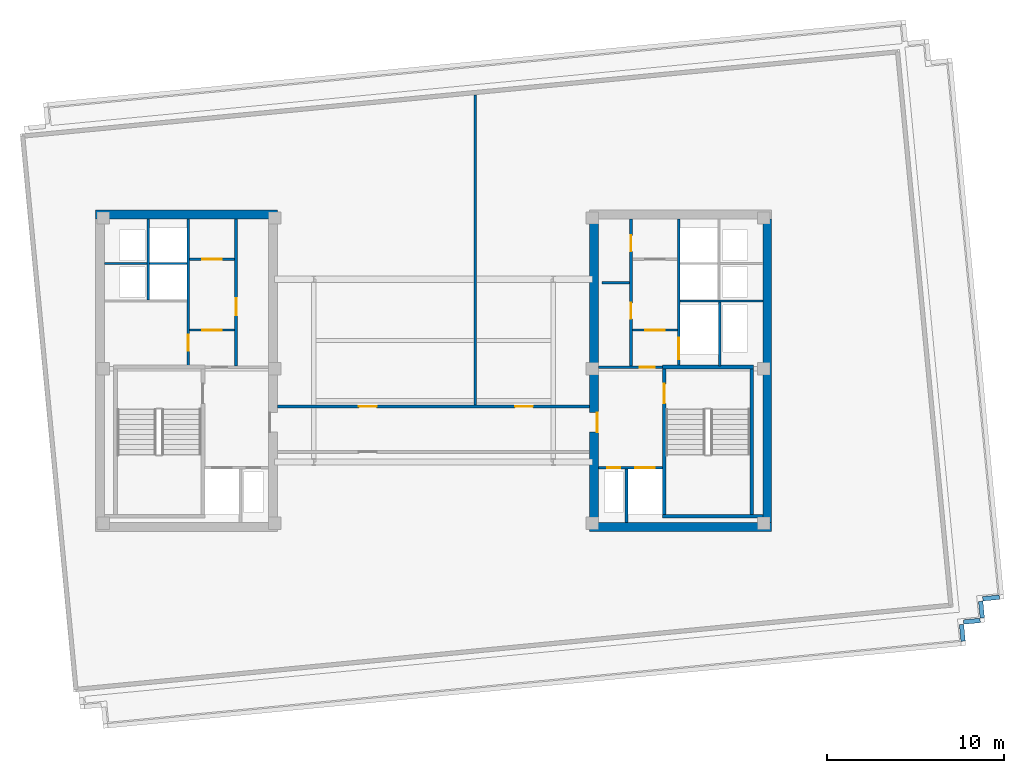
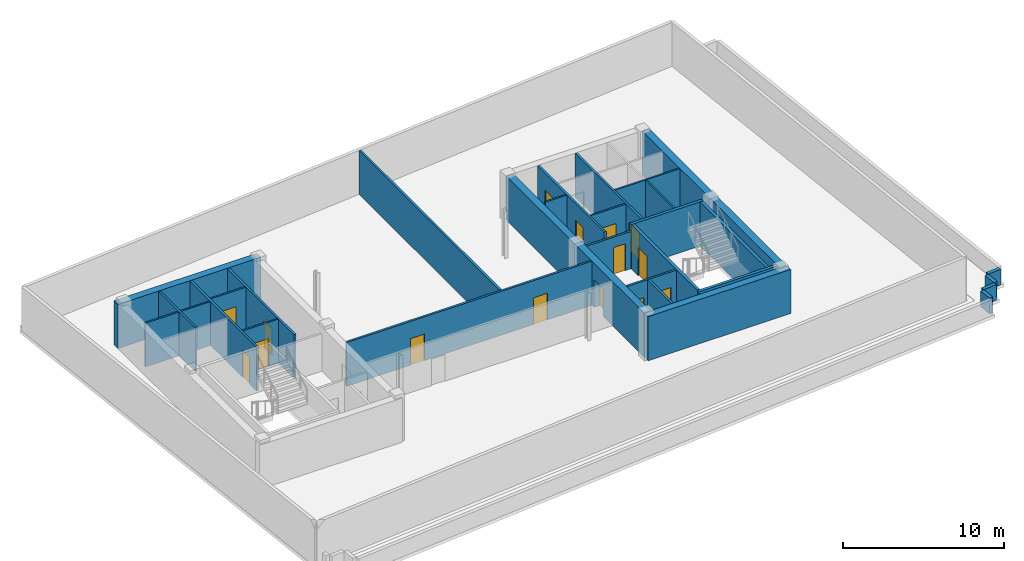
# One storey, part 3 of 8: 30 walls, 15 doors, 15 openings.
"""IFC4 building model written with IfcOpenShell, lengths in metres."""

from ifc_helpers import new_model, si_unit, direction, frame, frame_2d, origin, place, context, subcontext, project, spatial, rectangle, extrude, material, layer, layer_set, type_object, element, fill, save


model = new_model("IFC4")

# Units and contexts
model_context = context("Model", 3, precision=1e-05, world=origin(), true_north=direction((0.0, 1.0)))
body_context = subcontext(model_context, "Body", "Model", "MODEL_VIEW")
ifc_project = project(units=[si_unit("LENGTHUNIT", "METRE"), si_unit("AREAUNIT", "SQUARE_METRE"), si_unit("VOLUMEUNIT", "CUBIC_METRE"), si_unit("PLANEANGLEUNIT", "RADIAN"), si_unit("MASSUNIT", "GRAM", prefix="KILO")], contexts=[model_context])

# Site, building, storey
site_placement = place(None, origin())
site = spatial("IfcSite", under=ifc_project, at=site_placement, CompositionType="ELEMENT")
building_placement = place(site_placement, origin())
building = spatial("IfcBuilding", under=site, at=building_placement, Name="Velakula Bourse", CompositionType="ELEMENT")
storey_placement = place(building_placement, frame((0.0, 0.0, 286.949951171875)))
storey = spatial("IfcBuildingStorey", under=building, at=storey_placement, Name="L78", CompositionType="ELEMENT", Elevation=286.949951171875)

# Wall, opening, door
ifc_material_1 = material(Name="Concrete M50 (fck 50 MPa)", Category="concrete")
ifc_layer_1 = layer(ifc_material_1, 0.2099609375, Name="Concrete M50 (fck 50 MPa)", Category="concrete")
ifc_layer_set_1 = layer_set([ifc_layer_1], Name="Concrete M50 (fck 50 MPa)")
wall_type_1 = type_object("IfcWallType", Name="WL-CORE-210", PredefinedType="SHEAR", material=ifc_layer_set_1)
wall_1_placement = place(storey_placement, frame((12.9951171875, -8.10009765625, 0.0), z_axis=(0.0, 0.0, 1.0), x_axis=(0.0, 1.0, 0.0)))
wall_1 = element("IfcWall", 1, at=wall_1_placement, inside=storey, type_object=wall_type_1, Name="L78 Core E Stairwell Shear Wall IN", PredefinedType="SHEAR", context=body_context, shape_type="SweptSolid", body=[
    extrude(rectangle(XDim=8.2001953125, YDim=0.2099609375, at=frame_2d((4.10009765625, 0.0))), origin(), (0.0, 0.0, 1.0), 3.35009765625),
])
opening_1_placement = place(wall_1_placement, frame((6.25, 0.0, 0.0)))
opening_1 = element("IfcOpeningElement", 2, at=opening_1_placement, cuts=wall_1, Name="Opening D-STE1", PredefinedType="OPENING", context=body_context, shape_type="SweptSolid", body=[
    extrude(rectangle(XDim=1.10009765625, YDim=2.14990234375, at=frame_2d((0.550048828125, 1.074951171875))), frame((0.0, 0.114990234375, 0.0), z_axis=(0.0, -1.0, 0.0), x_axis=(1.0, 0.0, 0.0)), (0.0, 0.0, 1.0), 0.22998046875),
])
ifc_material_2 = material(Name="Galvanised painted hollow steel fire door", Category="steel")
door_type_1 = type_object("IfcDoorType", Name="DR-FD120-1100x2150", OperationType="NOTDEFINED", PredefinedType="DOOR", material=ifc_material_2)
door_1_placement = place(opening_1_placement, origin())
door_1 = element("IfcDoor", 3, at=door_1_placement, inside=storey, type_object=door_type_1, Name="L78 Stair ST-E1 Fire Door", OperationType="SINGLE_SWING_RIGHT", OverallHeight=2.14990234375, OverallWidth=1.10009765625, PredefinedType="DOOR", context=body_context, shape_type="SweptSolid", body=[
    extrude(rectangle(XDim=1.10009765625, YDim=2.14990234375, at=frame_2d((0.550048828125, 1.074951171875))), frame((0.0, 0.02490234375, 0.0), z_axis=(0.0, -1.0, 0.0), x_axis=(1.0, 0.0, 0.0)), (0.0, 0.0, 1.0), 0.050048828125),
])
fill(opening_1, door_1)

# Walls
wall_2_placement = place(storey_placement, frame((17.925048828125, -8.10009765625, 0.0), z_axis=(0.0, 0.0, 1.0), x_axis=(0.0, 1.0, 0.0)))
element("IfcWall", 4, at=wall_2_placement, inside=storey, type_object=wall_type_1, Name="L78 Core E Stairwell Shear Wall OUT", PredefinedType="SHEAR", context=body_context, shape_type="SweptSolid", body=[
    extrude(rectangle(XDim=8.2001953125, YDim=0.2099609375, at=frame_2d((4.10009765625, 0.0))), origin(), (0.0, 0.0, 1.0), 3.35009765625),
])
wall_3_placement = place(storey_placement, frame((12.889892578125, -8.205078125, 0.0), z_axis=(0.0, 0.0, 1.0), x_axis=(1.0, 0.0, 0.0)))
element("IfcWall", 5, at=wall_3_placement, inside=storey, type_object=wall_type_1, Name="L78 Core E Stairwell Shear Wall S", PredefinedType="SHEAR", context=body_context, shape_type="SweptSolid", body=[
    extrude(rectangle(XDim=5.66015625, YDim=0.2099609375, at=frame_2d((2.830078125, 0.0))), origin(), (0.0, 0.0, 1.0), 3.35009765625),
])
wall_4_placement = place(storey_placement, frame((18.030029296875, 0.205078125, 0.0), z_axis=(0.0, 0.0, 1.0), x_axis=(-1.0, 0.0, 0.0)))
element("IfcWall", 6, at=wall_4_placement, inside=storey, type_object=wall_type_1, Name="L78 Core E Stairwell Shear Wall N", PredefinedType="SHEAR", context=body_context, shape_type="SweptSolid", body=[
    extrude(rectangle(XDim=5.14013671875, YDim=0.2099609375, at=frame_2d((2.570068359375, 0.0))), origin(), (0.0, 0.0, 1.0), 3.35009765625),
])
ifc_layer_2 = layer(ifc_material_1, 0.5, Name="Concrete M50 (fck 50 MPa)", Category="concrete")
ifc_layer_set_2 = layer_set([ifc_layer_2], Name="Concrete M50 (fck 50 MPa)")
wall_type_2 = type_object("IfcWallType", Name="WL-CORE-500", PredefinedType="SHEAR", material=ifc_layer_set_2)
for number, where, z_axis, x_axis, name in (
    (7, (-19.050048828125, 8.800048828125, 0.0), (0.0, 0.0, 1.0), (1.0, 0.0, 0.0), "L78 Core W Shear Wall N"),
    (8, (8.800048828125, -8.800048828125, 0.0), (0.0, 0.0, 1.0), (1.0, 0.0, 0.0), "L78 Core E Shear Wall S"),
):
    element("IfcWall", number, at=place(storey_placement, frame(where, z_axis=z_axis, x_axis=x_axis)), inside=storey, type_object=wall_type_2, Name=name, PredefinedType="SHEAR", context=body_context, shape_type="SweptSolid", body=[
        extrude(rectangle(XDim=10.25, YDim=0.5, at=frame_2d((5.125, 0.0))), origin(), (0.0, 0.0, 1.0), 3.35009765625),
    ])

# Wall, opening, door
wall_5_placement = place(storey_placement, frame((9.050048828125, -8.550048828125, 0.0), z_axis=(0.0, 0.0, 1.0), x_axis=(0.0, 1.0, 0.0)))
wall_5 = element("IfcWall", 9, at=wall_5_placement, inside=storey, type_object=wall_type_2, Name="L78 Core E Shear Wall W", PredefinedType="SHEAR", context=body_context, shape_type="SweptSolid", body=[
    extrude(rectangle(XDim=17.10009765625, YDim=0.5, at=frame_2d((8.550048828125, 0.0))), origin(), (0.0, 0.0, 1.0), 3.35009765625),
])
opening_2_placement = place(wall_5_placement, frame((5.080078125, 0.0, 0.0)))
opening_2 = element("IfcOpeningElement", 10, at=opening_2_placement, cuts=wall_5, Name="Opening D-FLE", PredefinedType="OPENING", context=body_context, shape_type="SweptSolid", body=[
    extrude(rectangle(XDim=1.10009765625, YDim=2.080078125, at=frame_2d((0.550048828125, 1.0400390625))), frame((0.0, 0.260009765625, 0.0), z_axis=(0.0, -1.0, 0.0), x_axis=(1.0, 0.0, 0.0)), (0.0, 0.0, 1.0), 0.52001953125),
])
door_type_2 = type_object("IfcDoorType", Name="DR-FD120-1100", OperationType="NOTDEFINED", PredefinedType="DOOR", material=ifc_material_2)
door_2_placement = place(opening_2_placement, origin())
door_2 = element("IfcDoor", 11, at=door_2_placement, inside=storey, type_object=door_type_2, Name="L78 Firefighting Lobby E Corridor Fire Door", OperationType="SINGLE_SWING_RIGHT", OverallHeight=2.080078125, OverallWidth=1.10009765625, PredefinedType="DOOR", context=body_context, shape_type="SweptSolid", body=[
    extrude(rectangle(XDim=1.10009765625, YDim=2.080078125, at=frame_2d((0.550048828125, 1.0400390625))), frame((0.0, -0.15478515625, 0.0), z_axis=(0.0, -1.0, 0.0), x_axis=(1.0, 0.0, 0.0)), (0.0, 0.0, 1.0), 0.050048828125),
])
fill(opening_2, door_2)

# Walls
wall_6_placement = place(storey_placement, frame((18.800048828125, -8.550048828125, 0.0), z_axis=(0.0, 0.0, 1.0), x_axis=(0.0, 1.0, 0.0)))
element("IfcWall", 12, at=wall_6_placement, inside=storey, type_object=wall_type_2, Name="L78 Core E Shear Wall E", PredefinedType="SHEAR", context=body_context, shape_type="SweptSolid", body=[
    extrude(rectangle(XDim=17.10009765625, YDim=0.5, at=frame_2d((8.550048828125, 0.0))), origin(), (0.0, 0.0, 1.0), 3.35009765625),
])
ifc_material_3 = material(Name="Buff kilned clay facing brick masonry", Category="masonry")
ifc_layer_3 = layer(ifc_material_3, 0.25, Name="Buff kilned clay facing brick masonry", Category="masonry")
ifc_layer_set_3 = layer_set([ifc_layer_3], Name="Buff kilned clay facing brick masonry")
wall_type_3 = type_object("IfcWallType", Name="WL-PAR-ROOF-250", PredefinedType="PARAPET", material=ifc_layer_set_3)
for number, where, z_axis, x_axis, name in (
    (13, (31.8828125, -12.765380859375, 0.0), (0.0, 0.0, 1.0), (-0.995398079194, -0.095826217381, 0.0), "L78 Closed Roof Perimeter Parapet 9"),
    (14, (30.830078125, -12.997314453125, 0.0), (0.0, 0.0, 1.0), (0.095826217381, -0.995398079194, 0.0), "L78 Closed Roof Perimeter Parapet 10"),
):
    element("IfcWall", number, at=place(storey_placement, frame(where, z_axis=z_axis, x_axis=x_axis)), inside=storey, type_object=wall_type_3, Name=name, PredefinedType="PARAPET", context=body_context, shape_type="SweptSolid", body=[
        extrude(rectangle(XDim=0.940185546875, YDim=0.25, at=frame_2d((0.47021484375, 0.0))), origin(), (0.0, 0.0, 1.0), 1.199951171875),
    ])
wall_7_placement = place(storey_placement, frame((30.80322265625, -14.074951171875, 0.0), z_axis=(0.0, 0.0, 1.0), x_axis=(-0.995395693608, -0.095850994504, 0.0)))
element("IfcWall", 15, at=wall_7_placement, inside=storey, type_object=wall_type_3, Name="L78 Closed Roof Perimeter Parapet 11", PredefinedType="PARAPET", context=body_context, shape_type="SweptSolid", body=[
    extrude(rectangle(XDim=0.93994140625, YDim=0.25, at=frame_2d((0.469970703125, 0.0))), origin(), (0.0, 0.0, 1.0), 1.199951171875),
])
wall_8_placement = place(storey_placement, frame((29.75048828125, -14.306884765625, 0.0), z_axis=(0.0, 0.0, 1.0), x_axis=(0.096083514753, -0.995373275808, 0.0)))
element("IfcWall", 16, at=wall_8_placement, inside=storey, type_object=wall_type_3, Name="L78 Closed Roof Perimeter Parapet 12", PredefinedType="PARAPET", context=body_context, shape_type="SweptSolid", body=[
    extrude(rectangle(XDim=0.940185546875, YDim=0.25, at=frame_2d((0.47021484375, 0.0))), origin(), (0.0, 0.0, 1.0), 1.199951171875),
])

# Wall, opening, door
ifc_material_4 = material(Name="Fire-rated double-layer gypsum drywall partition", Category="gypsum")
ifc_layer_4 = layer(ifc_material_4, 0.1201171875, Name="Fire-rated double-layer gypsum drywall partition", Category="gypsum")
ifc_layer_set_4 = layer_set([ifc_layer_4], Name="Fire-rated double-layer gypsum drywall partition")
wall_type_4 = type_object("IfcWallType", Name="WL-PART-120", PredefinedType="STANDARD", material=ifc_layer_set_4)
wall_9_placement = place(storey_placement, frame((-13.75, 2.280029296875, 0.0), z_axis=(0.0, 0.0, 1.0), x_axis=(1.0, 0.0, 0.0)))
wall_9 = element("IfcWall", 17, at=wall_9_placement, inside=storey, type_object=wall_type_4, Name="L78 Interior Partition WL-CRW-L78-LL-K3A", PredefinedType="STANDARD", context=body_context, shape_type="SweptSolid", body=[
    extrude(rectangle(XDim=2.550048828125, YDim=0.1201171875, at=frame_2d((1.27490234375, 0.0))), origin(), (0.0, 0.0, 1.0), 3.330078125),
])
opening_3_placement = place(wall_9_placement, frame((0.72509765625, 0.0, 0.0)))
opening_3 = element("IfcOpeningElement", 18, at=opening_3_placement, cuts=wall_9, Name="Opening D-LK3", PredefinedType="OPENING", context=body_context, shape_type="SweptSolid", body=[
    extrude(rectangle(XDim=1.10009765625, YDim=2.10009765625, at=frame_2d((0.550048828125, 1.050048828125))), frame((0.0, 0.070068359375, 0.0), z_axis=(0.0, -1.0, 0.0), x_axis=(1.0, 0.0, 0.0)), (0.0, 0.0, 1.0), 0.14013671875),
])
ifc_material_5 = material(Name="Fire-rated hardwood flush architectural door", Category="wood")
door_type_3 = type_object("IfcDoorType", Name="DR-FD60-1100x2100", OperationType="NOTDEFINED", PredefinedType="DOOR", material=ifc_material_5)
door_3_placement = place(opening_3_placement, origin())
door_3 = element("IfcDoor", 19, at=door_3_placement, inside=storey, type_object=door_type_3, Name="L78 Core W Lift Lobby Vestibule Door A", OperationType="SINGLE_SWING_RIGHT", OverallHeight=2.10009765625, OverallWidth=1.10009765625, PredefinedType="DOOR", context=body_context, shape_type="SweptSolid", body=[
    extrude(rectangle(XDim=1.10009765625, YDim=2.10009765625, at=frame_2d((0.550048828125, 1.050048828125))), frame((0.0, 0.02490234375, 0.0), z_axis=(0.0, -1.0, 0.0), x_axis=(1.0, 0.0, 0.0)), (0.0, 0.0, 1.0), 0.050048828125),
])
fill(opening_3, door_3)

wall_10_placement = place(storey_placement, frame((-13.75, 6.280029296875, 0.0), z_axis=(0.0, 0.0, 1.0), x_axis=(1.0, 0.0, 0.0)))
wall_10 = element("IfcWall", 20, at=wall_10_placement, inside=storey, type_object=wall_type_4, Name="L78 Interior Partition WL-CRW-L78-LL-K3B", PredefinedType="STANDARD", context=body_context, shape_type="SweptSolid", body=[
    extrude(rectangle(XDim=2.550048828125, YDim=0.1201171875, at=frame_2d((1.27490234375, 0.0))), origin(), (0.0, 0.0, 1.0), 3.330078125),
])
opening_4_placement = place(wall_10_placement, frame((0.72509765625, 0.0, 0.0)))
opening_4 = element("IfcOpeningElement", 21, at=opening_4_placement, cuts=wall_10, Name="Opening D-LK3", PredefinedType="OPENING", context=body_context, shape_type="SweptSolid", body=[
    extrude(rectangle(XDim=1.10009765625, YDim=2.10009765625, at=frame_2d((0.550048828125, 1.050048828125))), frame((0.0, 0.070068359375, 0.0), z_axis=(0.0, -1.0, 0.0), x_axis=(1.0, 0.0, 0.0)), (0.0, 0.0, 1.0), 0.14013671875),
])
door_4_placement = place(opening_4_placement, origin())
door_4 = element("IfcDoor", 22, at=door_4_placement, inside=storey, type_object=door_type_3, Name="L78 Core W Lift Lobby Vestibule Door B", OperationType="SINGLE_SWING_RIGHT", OverallHeight=2.10009765625, OverallWidth=1.10009765625, PredefinedType="DOOR", context=body_context, shape_type="SweptSolid", body=[
    extrude(rectangle(XDim=1.10009765625, YDim=2.10009765625, at=frame_2d((0.550048828125, 1.050048828125))), frame((0.0, 0.02490234375, 0.0), z_axis=(0.0, -1.0, 0.0), x_axis=(1.0, 0.0, 0.0)), (0.0, 0.0, 1.0), 0.050048828125),
])
fill(opening_4, door_4)

# Walls
wall_11_placement = place(storey_placement, frame((-18.550048828125, 6.030029296875, 0.0), z_axis=(0.0, 0.0, 1.0), x_axis=(1.0, 0.0, 0.0)))
element("IfcWall", 23, at=wall_11_placement, inside=storey, type_object=wall_type_4, Name="L78 Interior Partition WL-CRW-L78-RIS-MID", PredefinedType="STANDARD", context=body_context, shape_type="SweptSolid", body=[
    extrude(rectangle(XDim=2.400146484375, YDim=0.1201171875, at=frame_2d((1.2001953125, 0.0))), origin(), (0.0, 0.0, 1.0), 3.330078125),
])
wall_12_placement = place(storey_placement, frame((-16.074951171875, 3.97998046875, 0.0), z_axis=(0.0, 0.0, 1.0), x_axis=(0.0, 1.0, 0.0)))
element("IfcWall", 24, at=wall_12_placement, inside=storey, type_object=wall_type_4, Name="L78 Interior Partition WL-CRW-L78-RIS-F", PredefinedType="STANDARD", context=body_context, shape_type="SweptSolid", body=[
    extrude(rectangle(XDim=4.570068359375, YDim=0.1201171875, at=frame_2d((2.28515625, 0.0))), origin(), (0.0, 0.0, 1.0), 3.330078125),
])
wall_13_placement = place(storey_placement, frame((-16.0, 6.030029296875, 0.0), z_axis=(0.0, 0.0, 1.0), x_axis=(1.0, 0.0, 0.0)))
element("IfcWall", 25, at=wall_13_placement, inside=storey, type_object=wall_type_4, Name="L78 Interior Partition WL-CRW-L78-HI-DIV", PredefinedType="STANDARD", context=body_context, shape_type="SweptSolid", body=[
    extrude(rectangle(XDim=2.10009765625, YDim=0.1201171875, at=frame_2d((1.050048828125, 0.0))), origin(), (0.0, 0.0, 1.0), 3.330078125),
])

# Wall, opening, door
wall_14_placement = place(storey_placement, frame((11.199951171875, 2.280029296875, 0.0), z_axis=(0.0, 0.0, 1.0), x_axis=(1.0, 0.0, 0.0)))
wall_14 = element("IfcWall", 26, at=wall_14_placement, inside=storey, type_object=wall_type_4, Name="L78 Interior Partition WL-CRE-L78-LL-K3A", PredefinedType="STANDARD", context=body_context, shape_type="SweptSolid", body=[
    extrude(rectangle(XDim=2.550048828125, YDim=0.1201171875, at=frame_2d((1.27490234375, 0.0))), origin(), (0.0, 0.0, 1.0), 3.330078125),
])
opening_5_placement = place(wall_14_placement, frame((0.72509765625, 0.0, 0.0)))
opening_5 = element("IfcOpeningElement", 27, at=opening_5_placement, cuts=wall_14, Name="Opening D-LK3", PredefinedType="OPENING", context=body_context, shape_type="SweptSolid", body=[
    extrude(rectangle(XDim=1.10009765625, YDim=2.10009765625, at=frame_2d((0.550048828125, 1.050048828125))), frame((0.0, 0.070068359375, 0.0), z_axis=(0.0, -1.0, 0.0), x_axis=(1.0, 0.0, 0.0)), (0.0, 0.0, 1.0), 0.14013671875),
])
door_5_placement = place(opening_5_placement, origin())
door_5 = element("IfcDoor", 28, at=door_5_placement, inside=storey, type_object=door_type_3, Name="L78 Core E Lift Lobby Vestibule Door A", OperationType="SINGLE_SWING_RIGHT", OverallHeight=2.10009765625, OverallWidth=1.10009765625, PredefinedType="DOOR", context=body_context, shape_type="SweptSolid", body=[
    extrude(rectangle(XDim=1.10009765625, YDim=2.10009765625, at=frame_2d((0.550048828125, 1.050048828125))), frame((0.0, 0.02490234375, 0.0), z_axis=(0.0, -1.0, 0.0), x_axis=(1.0, 0.0, 0.0)), (0.0, 0.0, 1.0), 0.050048828125),
])
fill(opening_5, door_5)

# Walls
wall_15_placement = place(storey_placement, frame((9.5, 4.949951171875, 0.0), z_axis=(0.0, 0.0, 1.0), x_axis=(1.0, 0.0, 0.0)))
element("IfcWall", 29, at=wall_15_placement, inside=storey, type_object=wall_type_4, Name="L78 Interior Partition WL-CRE-L78-RCDIV", PredefinedType="STANDARD", context=body_context, shape_type="SweptSolid", body=[
    extrude(rectangle(XDim=1.550048828125, YDim=0.1201171875, at=frame_2d((0.77490234375, 0.0))), origin(), (0.0, 0.0, 1.0), 3.330078125),
])
wall_16_placement = place(storey_placement, frame((13.89990234375, 3.919921875, 0.0), z_axis=(0.0, 0.0, 1.0), x_axis=(1.0, 0.0, 0.0)))
element("IfcWall", 30, at=wall_16_placement, inside=storey, type_object=wall_type_4, Name="L78 Interior Partition WL-CRE-L78-HI-S", PredefinedType="STANDARD", context=body_context, shape_type="SweptSolid", body=[
    extrude(rectangle(XDim=4.650146484375, YDim=0.1201171875, at=frame_2d((2.3251953125, 0.0))), origin(), (0.0, 0.0, 1.0), 3.330078125),
])
wall_17_placement = place(storey_placement, frame((16.125, 0.27001953125, 0.0), z_axis=(0.0, 0.0, 1.0), x_axis=(0.0, 1.0, 0.0)))
element("IfcWall", 31, at=wall_17_placement, inside=storey, type_object=wall_type_4, Name="L78 Interior Partition WL-CRE-L78-SVL-E", PredefinedType="STANDARD", context=body_context, shape_type="SweptSolid", body=[
    extrude(rectangle(XDim=3.590087890625, YDim=0.1201171875, at=frame_2d((1.794921875, 0.0))), origin(), (0.0, 0.0, 1.0), 3.330078125),
])

# Wall, opening, door
ifc_material_6 = material(Name="Autoclaved aerated concrete blockwork masonry", Category="masonry")
ifc_layer_5 = layer(ifc_material_6, 0.14990234375, Name="Autoclaved aerated concrete blockwork masonry", Category="masonry")
ifc_layer_set_5 = layer_set([ifc_layer_5], Name="Autoclaved aerated concrete blockwork masonry")
wall_type_5 = type_object("IfcWallType", Name="WL-SHAFT-150", PredefinedType="STANDARD", material=ifc_layer_set_5)
wall_18_placement = place(storey_placement, frame((-11.125, 0.27001953125, 0.0), z_axis=(0.0, 0.0, 1.0), x_axis=(0.0, 1.0, 0.0)))
wall_18 = element("IfcWall", 32, at=wall_18_placement, inside=storey, type_object=wall_type_5, Name="L78 Interior Partition WL-CRW-L78-BANK-F", PredefinedType="STANDARD", context=body_context, shape_type="SweptSolid", body=[
    extrude(rectangle(XDim=8.280029296875, YDim=0.14990234375, at=frame_2d((4.14013671875, 0.0))), origin(), (0.0, 0.0, 1.0), 3.330078125),
])
opening_6_placement = place(wall_18_placement, frame((2.85009765625, 0.0, 0.0)))
opening_6 = element("IfcOpeningElement", 33, at=opening_6_placement, cuts=wall_18, Name="Opening D-RC4", PredefinedType="OPENING", context=body_context, shape_type="SweptSolid", body=[
    extrude(rectangle(XDim=0.949951171875, YDim=2.050048828125, at=frame_2d((0.47509765625, 1.02490234375))), frame((0.0, 0.0849609375, 0.0), z_axis=(0.0, -1.0, 0.0), x_axis=(1.0, 0.0, 0.0)), (0.0, 0.0, 1.0), 0.169921875),
])
door_type_4 = type_object("IfcDoorType", Name="DR-FD60-950x2050", OperationType="NOTDEFINED", PredefinedType="DOOR", material=ifc_material_5)
door_6_placement = place(opening_6_placement, origin())
door_6 = element("IfcDoor", 34, at=door_6_placement, inside=storey, type_object=door_type_4, Name="L78 Reclaimed Multi-Bay Archive Room Door", OperationType="SINGLE_SWING_RIGHT", OverallHeight=2.050048828125, OverallWidth=0.949951171875, PredefinedType="DOOR", context=body_context, shape_type="SweptSolid", body=[
    extrude(rectangle(XDim=0.949951171875, YDim=2.050048828125, at=frame_2d((0.47509765625, 1.02490234375))), frame((0.0, 0.02490234375, 0.0), z_axis=(0.0, -1.0, 0.0), x_axis=(1.0, 0.0, 0.0)), (0.0, 0.0, 1.0), 0.050048828125),
])
fill(opening_6, door_6)

wall_19_placement = place(storey_placement, frame((-13.824951171875, 0.27001953125, 0.0), z_axis=(0.0, 0.0, 1.0), x_axis=(0.0, 1.0, 0.0)))
wall_19 = element("IfcWall", 35, at=wall_19_placement, inside=storey, type_object=wall_type_5, Name="L78 Interior Partition WL-CRW-L78-OUT-F", PredefinedType="STANDARD", context=body_context, shape_type="SweptSolid", body=[
    extrude(rectangle(XDim=8.280029296875, YDim=0.14990234375, at=frame_2d((4.14013671875, 0.0))), origin(), (0.0, 0.0, 1.0), 3.330078125),
])
opening_7_placement = place(wall_19_placement, frame((0.85009765625, 0.0, 0.0)))
opening_7 = element("IfcOpeningElement", 36, at=opening_7_placement, cuts=wall_19, Name="Opening D-CR3", PredefinedType="OPENING", context=body_context, shape_type="SweptSolid", body=[
    extrude(rectangle(XDim=0.89990234375, YDim=2.050048828125, at=frame_2d((0.449951171875, 1.02490234375))), frame((0.0, 0.0849609375, 0.0), z_axis=(0.0, -1.0, 0.0), x_axis=(1.0, 0.0, 0.0)), (0.0, 0.0, 1.0), 0.169921875),
])
door_type_5 = type_object("IfcDoorType", Name="DR-INT-900", OperationType="NOTDEFINED", PredefinedType="DOOR", material=ifc_material_5)
door_7_placement = place(opening_7_placement, origin())
door_7 = element("IfcDoor", 37, at=door_7_placement, inside=storey, type_object=door_type_5, Name="L78 Core Stationery and Mail Room Door", OperationType="SINGLE_SWING_RIGHT", OverallHeight=2.050048828125, OverallWidth=0.89990234375, PredefinedType="DOOR", context=body_context, shape_type="SweptSolid", body=[
    extrude(rectangle(XDim=0.89990234375, YDim=2.050048828125, at=frame_2d((0.449951171875, 1.02490234375))), frame((0.0, 0.02490234375, 0.0), z_axis=(0.0, -1.0, 0.0), x_axis=(1.0, 0.0, 0.0)), (0.0, 0.0, 1.0), 0.050048828125),
])
fill(opening_7, door_7)

# Wall, openings, doors
wall_20_placement = place(storey_placement, frame((9.300048828125, -5.47509765625, 0.0), z_axis=(0.0, 0.0, 1.0), x_axis=(1.0, 0.0, 0.0)))
wall_20 = element("IfcWall", 38, at=wall_20_placement, inside=storey, type_object=wall_type_5, Name="L78 Interior Partition WL-CRE-L78-FFL-N", PredefinedType="STANDARD", context=body_context, shape_type="SweptSolid", body=[
    extrude(rectangle(XDim=3.594970703125, YDim=0.14990234375, at=frame_2d((1.79736328125, 0.0))), origin(), (0.0, 0.0, 1.0), 3.330078125),
])
opening_8_placement = place(wall_20_placement, frame((2.074951171875, 0.0, 0.0)))
opening_8 = element("IfcOpeningElement", 39, at=opening_8_placement, cuts=wall_20, Name="Opening LD-FFL-2", PredefinedType="OPENING", context=body_context, shape_type="SweptSolid", body=[
    extrude(rectangle(XDim=1.10009765625, YDim=2.14990234375, at=frame_2d((0.550048828125, 1.074951171875))), frame((0.0, 0.0849609375, 0.0), z_axis=(0.0, -1.0, 0.0), x_axis=(1.0, 0.0, 0.0)), (0.0, 0.0, 1.0), 0.169921875),
])
opening_9_placement = place(wall_20_placement, frame((0.47509765625, 0.0, 0.0)))
opening_9 = element("IfcOpeningElement", 40, at=opening_9_placement, cuts=wall_20, Name="Opening D-RS1", PredefinedType="OPENING", context=body_context, shape_type="SweptSolid", body=[
    extrude(rectangle(XDim=0.75, YDim=2.050048828125, at=frame_2d((0.375, 1.02490234375))), frame((0.0, 0.0849609375, 0.0), z_axis=(0.0, -1.0, 0.0), x_axis=(1.0, 0.0, 0.0)), (0.0, 0.0, 1.0), 0.169921875),
])
door_type_6 = type_object("IfcDoorType", Name="DR-RISER-800", OperationType="NOTDEFINED", PredefinedType="DOOR", material=ifc_material_2)
door_8_placement = place(opening_9_placement, origin())
door_8 = element("IfcDoor", 41, at=door_8_placement, inside=storey, type_object=door_type_6, Name="L78 Fire Riser Access Door", OperationType="SINGLE_SWING_LEFT", OverallHeight=2.050048828125, OverallWidth=0.75, PredefinedType="DOOR", context=body_context, shape_type="SweptSolid", body=[
    extrude(rectangle(XDim=0.75, YDim=2.050048828125, at=frame_2d((0.375, 1.02490234375))), frame((0.0, 0.02490234375, 0.0), z_axis=(0.0, -1.0, 0.0), x_axis=(1.0, 0.0, 0.0)), (0.0, 0.0, 1.0), 0.050048828125),
])
fill(opening_9, door_8)
ifc_material_7 = material(Name="Brushed grade 316 stainless steel", Category="steel")
door_type_7 = type_object("IfcDoorType", Name="DR-SLIDE-FFL-1100", OperationType="DOUBLE_DOOR_SLIDING", PredefinedType="DOOR", material=ifc_material_7)
door_9_placement = place(opening_8_placement, origin())
door_9 = element("IfcDoor", 42, at=door_9_placement, inside=storey, type_object=door_type_7, Name="L78 Firefighting Lift FFL-2 Sliding Landing Door", OperationType="DOUBLE_DOOR_SLIDING", OverallHeight=2.14990234375, OverallWidth=1.10009765625, PredefinedType="DOOR", context=body_context, shape_type="SweptSolid", body=[
    extrude(rectangle(XDim=1.10009765625, YDim=2.14990234375, at=frame_2d((0.550048828125, 1.074951171875))), frame((0.0, 0.02490234375, 0.0), z_axis=(0.0, -1.0, 0.0), x_axis=(1.0, 0.0, 0.0)), (0.0, 0.0, 1.0), 0.050048828125),
])
fill(opening_8, door_9)

# Wall
wall_21_placement = place(storey_placement, frame((10.875, -8.550048828125, 0.0), z_axis=(0.0, 0.0, 1.0), x_axis=(0.0, 1.0, 0.0)))
element("IfcWall", 43, at=wall_21_placement, inside=storey, type_object=wall_type_5, Name="L78 Interior Partition WL-CRE-L78-FR-DIV", PredefinedType="STANDARD", context=body_context, shape_type="SweptSolid", body=[
    extrude(rectangle(XDim=3.0, YDim=0.14990234375, at=frame_2d((1.5, 0.0))), origin(), (0.0, 0.0, 1.0), 3.330078125),
])

# Wall, opening, door
wall_22_placement = place(storey_placement, frame((9.300048828125, 0.18994140625, 0.0), z_axis=(0.0, 0.0, 1.0), x_axis=(1.0, 0.0, 0.0)))
wall_22 = element("IfcWall", 44, at=wall_22_placement, inside=storey, type_object=wall_type_5, Name="L78 Interior Partition WL-CRE-L78-FF-TOP", PredefinedType="STANDARD", context=body_context, shape_type="SweptSolid", body=[
    extrude(rectangle(XDim=3.58984375, YDim=0.14990234375, at=frame_2d((1.794921875, 0.0))), origin(), (0.0, 0.0, 1.0), 2.824951171875),
])
opening_10_placement = place(wall_22_placement, frame((2.324951171875, 0.0, 0.0)))
opening_10 = element("IfcOpeningElement", 45, at=opening_10_placement, cuts=wall_22, Name="Opening D-FC1", PredefinedType="OPENING", context=body_context, shape_type="SweptSolid", body=[
    extrude(rectangle(XDim=0.85009765625, YDim=2.0400390625, at=frame_2d((0.425048828125, 1.02001953125))), frame((0.0, 0.0849609375, 0.0), z_axis=(0.0, -1.0, 0.0), x_axis=(1.0, 0.0, 0.0)), (0.0, 0.0, 1.0), 0.169921875),
])
door_type_8 = type_object("IfcDoorType", Name="DR-FD120-850", OperationType="NOTDEFINED", PredefinedType="DOOR", material=ifc_material_2)
door_10_placement = place(opening_10_placement, origin())
door_10 = element("IfcDoor", 46, at=door_10_placement, inside=storey, type_object=door_type_8, Name="L78 Firefighting Lobby Link Fire Door", OperationType="SINGLE_SWING_LEFT", OverallHeight=2.0400390625, OverallWidth=0.85009765625, PredefinedType="DOOR", context=body_context, shape_type="SweptSolid", body=[
    extrude(rectangle(XDim=0.85009765625, YDim=2.0400390625, at=frame_2d((0.425048828125, 1.02001953125))), frame((0.0, 0.02490234375, 0.0), z_axis=(0.0, -1.0, 0.0), x_axis=(1.0, 0.0, 0.0)), (0.0, 0.0, 1.0), 0.050048828125),
])
fill(opening_10, door_10)

# Wall, openings, doors
wall_23_placement = place(storey_placement, frame((11.125, 0.27001953125, 0.0), z_axis=(0.0, 0.0, 1.0), x_axis=(0.0, 1.0, 0.0)))
wall_23 = element("IfcWall", 47, at=wall_23_placement, inside=storey, type_object=wall_type_5, Name="L78 Interior Partition WL-CRE-L78-BANK-F", PredefinedType="STANDARD", context=body_context, shape_type="SweptSolid", body=[
    extrude(rectangle(XDim=8.280029296875, YDim=0.14990234375, at=frame_2d((4.14013671875, 0.0))), origin(), (0.0, 0.0, 1.0), 3.330078125),
])
opening_11_placement = place(wall_23_placement, frame((2.64990234375, 0.0, 0.0)))
opening_11 = element("IfcOpeningElement", 48, at=opening_11_placement, cuts=wall_23, Name="Opening D-RC2", PredefinedType="OPENING", context=body_context, shape_type="SweptSolid", body=[
    extrude(rectangle(XDim=0.89990234375, YDim=2.050048828125, at=frame_2d((0.449951171875, 1.02490234375))), frame((0.0, 0.0849609375, 0.0), z_axis=(0.0, -1.0, 0.0), x_axis=(1.0, 0.0, 0.0)), (0.0, 0.0, 1.0), 0.169921875),
])
opening_12_placement = place(wall_23_placement, frame((6.449951171875, 0.0, 0.0)))
opening_12 = element("IfcOpeningElement", 49, at=opening_12_placement, cuts=wall_23, Name="Opening D-RC2", PredefinedType="OPENING", context=body_context, shape_type="SweptSolid", body=[
    extrude(rectangle(XDim=0.89990234375, YDim=2.050048828125, at=frame_2d((0.449951171875, 1.02490234375))), frame((0.0, 0.0849609375, 0.0), z_axis=(0.0, -1.0, 0.0), x_axis=(1.0, 0.0, 0.0)), (0.0, 0.0, 1.0), 0.169921875),
])
door_type_9 = type_object("IfcDoorType", Name="DR-FD60-900", OperationType="NOTDEFINED", PredefinedType="DOOR", material=ifc_material_5)
door_11_placement = place(opening_11_placement, origin())
door_11 = element("IfcDoor", 50, at=door_11_placement, inside=storey, type_object=door_type_9, Name="L78 Reclaimed Vault Room Door", OperationType="SINGLE_SWING_LEFT", OverallHeight=2.050048828125, OverallWidth=0.89990234375, PredefinedType="DOOR", context=body_context, shape_type="SweptSolid", body=[
    extrude(rectangle(XDim=0.89990234375, YDim=2.050048828125, at=frame_2d((0.449951171875, 1.02490234375))), frame((0.0, 0.02490234375, 0.0), z_axis=(0.0, -1.0, 0.0), x_axis=(1.0, 0.0, 0.0)), (0.0, 0.0, 1.0), 0.050048828125),
])
fill(opening_11, door_11)
door_12_placement = place(opening_12_placement, origin())
door_12 = element("IfcDoor", 51, at=door_12_placement, inside=storey, type_object=door_type_9, Name="L78 Reclaimed Depository Store Door", OperationType="SINGLE_SWING_RIGHT", OverallHeight=2.050048828125, OverallWidth=0.89990234375, PredefinedType="DOOR", context=body_context, shape_type="SweptSolid", body=[
    extrude(rectangle(XDim=0.89990234375, YDim=2.050048828125, at=frame_2d((0.449951171875, 1.02490234375))), frame((0.0, 0.02490234375, 0.0), z_axis=(0.0, -1.0, 0.0), x_axis=(1.0, 0.0, 0.0)), (0.0, 0.0, 1.0), 0.050048828125),
])
fill(opening_12, door_12)

# Wall, opening, door
wall_24_placement = place(storey_placement, frame((13.824951171875, 0.27001953125, 0.0), z_axis=(0.0, 0.0, 1.0), x_axis=(0.0, 1.0, 0.0)))
wall_24 = element("IfcWall", 52, at=wall_24_placement, inside=storey, type_object=wall_type_5, Name="L78 Interior Partition WL-CRE-L78-OUT-F", PredefinedType="STANDARD", context=body_context, shape_type="SweptSolid", body=[
    extrude(rectangle(XDim=8.280029296875, YDim=0.14990234375, at=frame_2d((4.14013671875, 0.0))), origin(), (0.0, 0.0, 1.0), 3.330078125),
])
opening_13_placement = place(wall_24_placement, frame((0.3798828125, 0.0, 0.0)))
opening_13 = element("IfcOpeningElement", 53, at=opening_13_placement, cuts=wall_24, Name="Opening LD-SVL1", PredefinedType="OPENING", context=body_context, shape_type="SweptSolid", body=[
    extrude(rectangle(XDim=1.199951171875, YDim=2.10009765625, at=frame_2d((0.60009765625, 1.050048828125))), frame((0.0, 0.0849609375, 0.0), z_axis=(0.0, -1.0, 0.0), x_axis=(1.0, 0.0, 0.0)), (0.0, 0.0, 1.0), 0.169921875),
])
door_type_10 = type_object("IfcDoorType", Name="DR-SLIDE-LD-1200", OperationType="DOUBLE_DOOR_SLIDING", PredefinedType="DOOR", material=ifc_material_7)
door_13_placement = place(opening_13_placement, origin())
door_13 = element("IfcDoor", 54, at=door_13_placement, inside=storey, type_object=door_type_10, Name="L78 Service Lift SVL-1 Sliding Landing Door", OperationType="DOUBLE_DOOR_SLIDING", OverallHeight=2.10009765625, OverallWidth=1.199951171875, PredefinedType="DOOR", context=body_context, shape_type="SweptSolid", body=[
    extrude(rectangle(XDim=1.199951171875, YDim=2.10009765625, at=frame_2d((0.60009765625, 1.050048828125))), frame((0.0, 0.02490234375, 0.0), z_axis=(0.0, -1.0, 0.0), x_axis=(1.0, 0.0, 0.0)), (0.0, 0.0, 1.0), 0.050048828125),
])
fill(opening_13, door_13)

# Wall, openings, doors
wall_25_placement = place(storey_placement, frame((-8.800048828125, -2.02001953125, 0.0), z_axis=(0.0, 0.0, 1.0), x_axis=(1.0, 0.0, 0.0)))
wall_25 = element("IfcWall", 55, at=wall_25_placement, inside=storey, type_object=wall_type_5, Name="L78 Interior Partition WL-CRN-L78-N", PredefinedType="STANDARD", context=body_context, shape_type="SweptSolid", body=[
    extrude(rectangle(XDim=17.60009765625, YDim=0.14990234375, at=frame_2d((8.800048828125, 0.0))), origin(), (0.0, 0.0, 1.0), 3.330078125),
])
opening_14_placement = place(wall_25_placement, frame((4.60009765625, 0.0, 0.0)))
opening_14 = element("IfcOpeningElement", 56, at=opening_14_placement, cuts=wall_25, Name="Opening D-CP3", PredefinedType="OPENING", context=body_context, shape_type="SweptSolid", body=[
    extrude(rectangle(XDim=1.0, YDim=2.02001953125, at=frame_2d((0.5, 1.010009765625))), frame((0.0, 0.0849609375, 0.0), z_axis=(0.0, -1.0, 0.0), x_axis=(1.0, 0.0, 0.0)), (0.0, 0.0, 1.0), 0.169921875),
])
opening_15_placement = place(wall_25_placement, frame((13.39990234375, 0.0, 0.0)))
opening_15 = element("IfcOpeningElement", 57, at=opening_15_placement, cuts=wall_25, Name="Opening D-CP3", PredefinedType="OPENING", context=body_context, shape_type="SweptSolid", body=[
    extrude(rectangle(XDim=1.0, YDim=2.02001953125, at=frame_2d((0.5, 1.010009765625))), frame((0.0, 0.0849609375, 0.0), z_axis=(0.0, -1.0, 0.0), x_axis=(1.0, 0.0, 0.0)), (0.0, 0.0, 1.0), 0.169921875),
])
door_type_11 = type_object("IfcDoorType", Name="DR-FD120-1000x2020", OperationType="NOTDEFINED", PredefinedType="DOOR", material=ifc_material_2)
door_14_placement = place(opening_14_placement, origin())
door_14 = element("IfcDoor", 58, at=door_14_placement, inside=storey, type_object=door_type_11, Name="L78 Heat-Recovery AHU Mechanical Plant Room Door", OperationType="SINGLE_SWING_LEFT", OverallHeight=2.02001953125, OverallWidth=1.0, PredefinedType="DOOR", context=body_context, shape_type="SweptSolid", body=[
    extrude(rectangle(XDim=1.0, YDim=2.02001953125, at=frame_2d((0.5, 1.010009765625))), frame((0.0, 0.02490234375, 0.0), z_axis=(0.0, -1.0, 0.0), x_axis=(1.0, 0.0, 0.0)), (0.0, 0.0, 1.0), 0.050048828125),
])
fill(opening_14, door_14)
door_15_placement = place(opening_15_placement, origin())
door_15 = element("IfcDoor", 59, at=door_15_placement, inside=storey, type_object=door_type_11, Name="L78 Cooling Tower and Water Tank Room Door", OperationType="SINGLE_SWING_RIGHT", OverallHeight=2.02001953125, OverallWidth=1.0, PredefinedType="DOOR", context=body_context, shape_type="SweptSolid", body=[
    extrude(rectangle(XDim=1.0, YDim=2.02001953125, at=frame_2d((0.5, 1.010009765625))), frame((0.0, 0.02490234375, 0.0), z_axis=(0.0, -1.0, 0.0), x_axis=(1.0, 0.0, 0.0)), (0.0, 0.0, 1.0), 0.050048828125),
])
fill(opening_15, door_15)

# Wall
wall_26_placement = place(storey_placement, frame((2.35009765625, -1.93994140625, 0.0), z_axis=(0.0, 0.0, 1.0), x_axis=(0.0, 1.0, 0.0)))
element("IfcWall", 60, at=wall_26_placement, inside=storey, type_object=wall_type_5, Name="L78 Interior Partition WL-CRN-L78-DIV", PredefinedType="STANDARD", context=body_context, shape_type="SweptSolid", body=[
    extrude(rectangle(XDim=17.46923828125, YDim=0.14990234375, at=frame_2d((8.734619140625, 0.0))), origin(), (0.0, 0.0, 1.0), 3.330078125),
])

save(model, "model.ifc")
